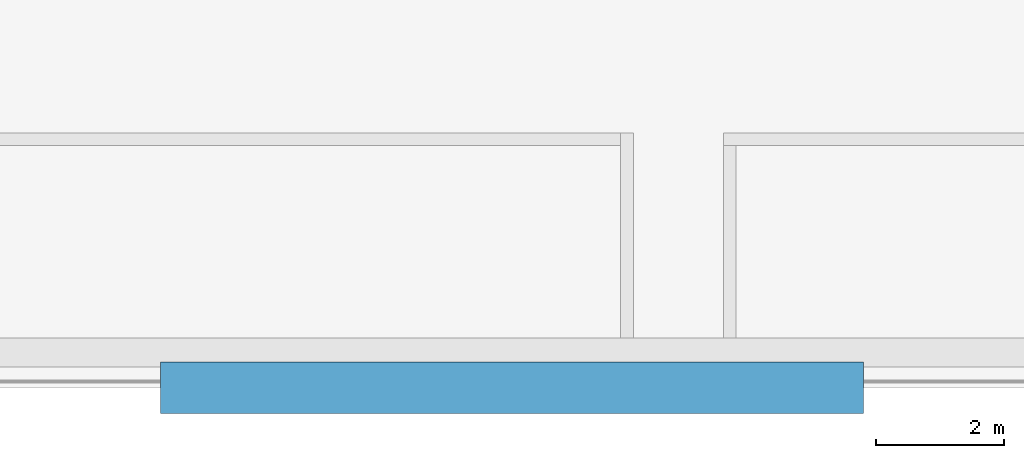
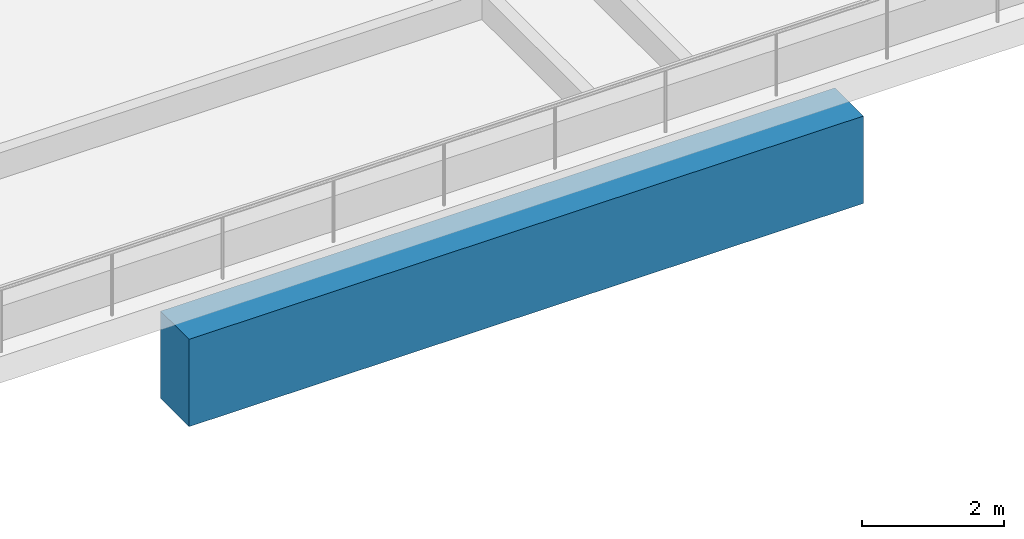
# One storey, part 16 of 47: 1 beam.
"""IFC4 building model written with IfcOpenShell, lengths in metres."""

from ifc_helpers import new_model, si_unit, direction, frame, origin, origin_2d, place, context, subcontext, project, spatial, rectangle, extrude, material, material_profile, profile_set, type_object, element, save


model = new_model("IFC4")

# Units and contexts
model_context = context("Model", 3, precision=1e-05, world=origin(), true_north=direction((0.0, 1.0)))
body_context = subcontext(model_context, "Body", "Model", "MODEL_VIEW")
ifc_project = project(units=[si_unit("LENGTHUNIT", "METRE"), si_unit("AREAUNIT", "SQUARE_METRE"), si_unit("VOLUMEUNIT", "CUBIC_METRE"), si_unit("PLANEANGLEUNIT", "RADIAN"), si_unit("MASSUNIT", "GRAM", prefix="KILO")], contexts=[model_context])

# Site, building, storey
site_placement = place(None, origin())
site = spatial("IfcSite", under=ifc_project, at=site_placement, CompositionType="ELEMENT")
building_placement = place(site_placement, origin())
building = spatial("IfcBuilding", under=site, at=building_placement, Name="Altepetl Exchange Towers", CompositionType="ELEMENT")
storey_placement = place(building_placement, frame((0.0, 0.0, 6.0)))
storey = spatial("IfcBuildingStorey", under=building, at=storey_placement, Name="L01 Retail podium", CompositionType="ELEMENT", Elevation=6.0)

# Beam
ifc_material = material(Name="Concrete C50/60", Category="concrete")
ifc_material_profile = material_profile(ifc_material, rectangle(XDim=0.800048828125, YDim=1.5, at=origin_2d()), Name="800 x 1500")
ifc_profile_set = profile_set([ifc_material_profile], Name="Concrete C50/60")
beam_type = type_object("IfcBeamType", Name="Transfer girder 800x1500", PredefinedType="BEAM", material=ifc_profile_set)
beam_placement = place(storey_placement, frame((125.10009765625, 0.0, -1.199951171875), z_axis=(1.0, 0.0, 0.0), x_axis=(0.0, 1.0, 0.0)))
element("IfcBeam", 1, at=beam_placement, inside=storey, type_object=beam_type, Name="bm:P:L01:gate", PredefinedType="BEAM", context=body_context, shape_type="SweptSolid", body=[
    extrude(rectangle(XDim=0.800048828125, YDim=1.5, at=origin_2d()), origin(), (0.0, 0.0, 1.0), 10.949951171875),
])

save(model, "model.ifc")
